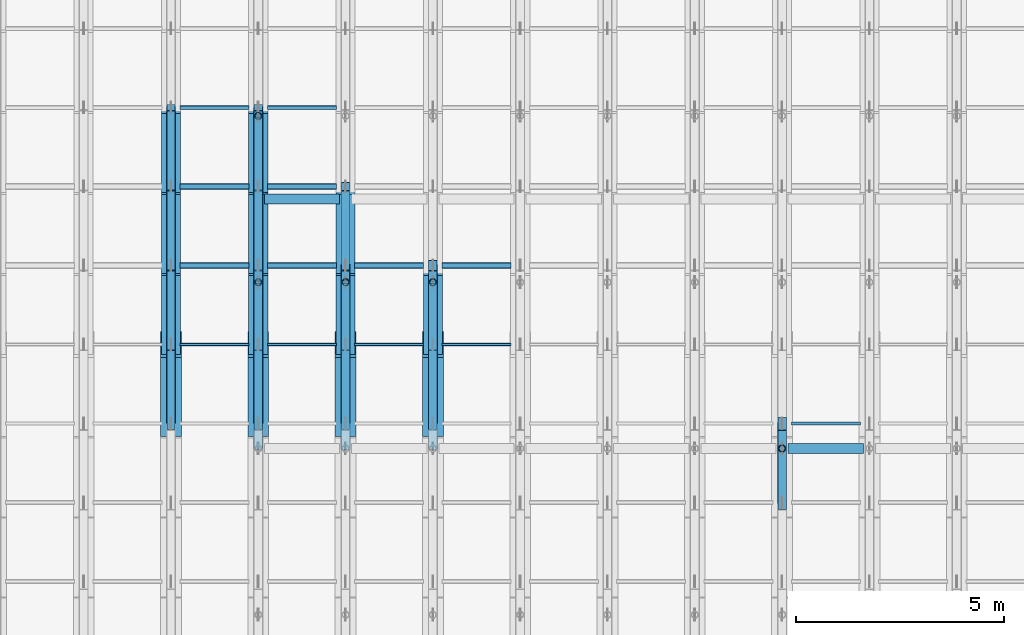
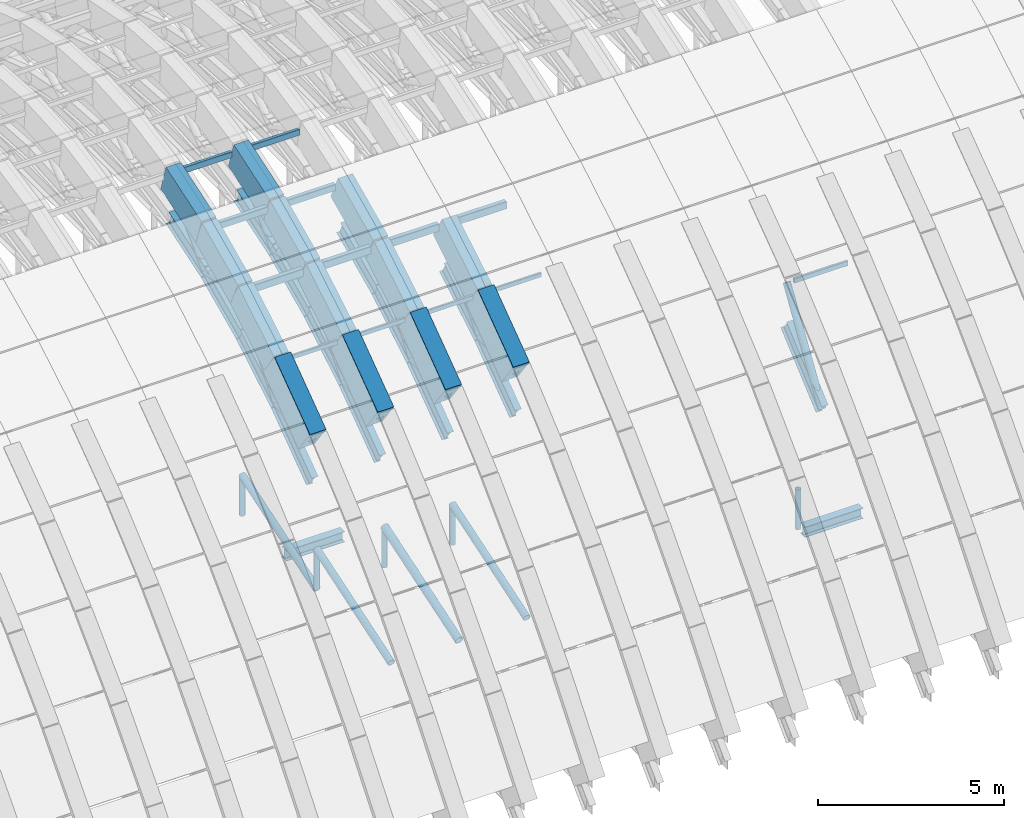
# One storey, part 8 of 67: 35 members, 29 beams.
"""IFC4 building model written with IfcOpenShell, lengths in metres."""

import ifcopenshell
import ifcopenshell.guid

model = None  # the IFC model being written
_history = None  # IfcOwnerHistory: only IFC2X3 demands one
_inside = {}  # id of a spatial element -> (the spatial element, [elements in it])
_under = {}  # id of a project, library or spatial element -> (it, [spatial elements below it])
_declared = {}  # id of a project -> (the project, [libraries it declares])
_typed = {}  # id of a type object -> (the type object, [elements of that type])
_made_of = {}  # id of a material, layer set ... -> (it, [elements and type objects made of it])


def new_model(schema):
    """Start an empty IFC model of exactly this schema.

    Asked for "IFC4X3", IfcOpenShell would pick the latest addendum, in which some entities
    have other attributes; the version numbers below select the first issue.
    IFC2X3 requires an IfcOwnerHistory on every rooted entity: one is made here for all.
    """
    global model, _history
    if schema == "IFC4X3":
        model = ifcopenshell.file(schema_version=(4, 3, 0, 0))
    else:
        model = ifcopenshell.file(schema=schema)
    _inside.clear()
    _under.clear()
    _declared.clear()
    _typed.clear()
    _made_of.clear()
    _history = None
    if model.schema == "IFC2X3":
        org = make("IfcOrganization", Name="unknown")
        user = make(
            "IfcPersonAndOrganization",
            ThePerson=make("IfcPerson", FamilyName="unknown"),
            TheOrganization=org,
        )
        app = make(
            "IfcApplication",
            ApplicationDeveloper=org,
            Version="unknown",
            ApplicationFullName="unknown",
            ApplicationIdentifier="unknown",
        )
        _history = make(
            "IfcOwnerHistory",
            OwningUser=user,
            OwningApplication=app,
            ChangeAction="ADDED",
            CreationDate=0,
        )
    return model


def make(cls, **values):
    """One entity of the class cls with the attributes given. An attribute that is None is left unset."""
    return model.create_entity(
        cls, **{name: value for name, value in values.items() if value is not None}
    )


def rooted(cls, **values):
    """An entity with a GlobalId (a new one), such as an element, a storey or a relation."""
    return make(cls, GlobalId=ifcopenshell.guid.new(), OwnerHistory=_history, **values)


def si_unit(unit_type, name, prefix=None):
    """IfcSIUnit, for example si_unit("LENGTHUNIT", "METRE", prefix="MILLI")."""
    return make("IfcSIUnit", UnitType=unit_type, Prefix=prefix, Name=name)


def assignment(units):
    """IfcUnitAssignment: the units of a project."""
    return None if units is None else make("IfcUnitAssignment", Units=units)


def point(xyz):
    """IfcCartesianPoint."""
    return None if xyz is None else make("IfcCartesianPoint", Coordinates=xyz)


def direction(xyz):
    """IfcDirection."""
    return None if xyz is None else make("IfcDirection", DirectionRatios=xyz)


def frame(location, z_axis=None, x_axis=None):
    """IfcAxis2Placement3D, a coordinate frame: its origin and axes. An axis left out is left unset."""
    return make(
        "IfcAxis2Placement3D",
        Location=point(location),
        Axis=direction(z_axis),
        RefDirection=direction(x_axis),
    )


def frame_2d(location, x_axis=None):
    """IfcAxis2Placement2D, a coordinate frame in the plane: its origin and x axis."""
    return make(
        "IfcAxis2Placement2D", Location=point(location), RefDirection=direction(x_axis)
    )


def origin():
    """The frame at (0, 0, 0) with its axes left unset."""
    return frame((0.0, 0.0, 0.0))


def origin_2d():
    """The frame at (0, 0) in the plane with its x axis left unset."""
    return frame_2d((0.0, 0.0))


def place(relative_to, where):
    """IfcLocalPlacement: puts the frame where relative to a parent placement (None: the world)."""
    return make(
        "IfcLocalPlacement", PlacementRelTo=relative_to, RelativePlacement=where
    )


def context(
    kind, dimensions, precision=None, world=None, true_north=None, identifier=None
):
    """IfcGeometricRepresentationContext, for example the 3D "Model" context."""
    return make(
        "IfcGeometricRepresentationContext",
        ContextIdentifier=identifier,
        ContextType=kind,
        CoordinateSpaceDimension=dimensions,
        Precision=precision,
        WorldCoordinateSystem=world,
        TrueNorth=true_north,
    )


def subcontext(parent, identifier, kind, view, scale=None):
    """IfcGeometricRepresentationSubContext, for example "Body" below "Model"."""
    return make(
        "IfcGeometricRepresentationSubContext",
        ContextIdentifier=identifier,
        ContextType=kind,
        ParentContext=parent,
        TargetScale=scale,
        TargetView=view,
    )


def project(units=None, contexts=None):
    """IfcProject with its units and contexts."""
    return rooted(
        "IfcProject",
        Name="project",
        RepresentationContexts=contexts,
        UnitsInContext=assignment(units),
    )


def spatial(cls, under=None, at=None, **own):
    """A site, building, storey or space (cls), placed at a placement, below another one or the project."""
    s = rooted(cls, ObjectPlacement=at, **own)
    if under is not None:
        _under.setdefault(under.id(), (under, []))[1].append(s)
    return s


def profile(cls, at=None, kind="AREA", **sizes):
    """A parametric profile (cls). Its sizes go by their IFC names, for example OverallWidth=200.0."""
    return make(cls, ProfileType=kind, Position=at, **sizes)


def rectangle(**sizes):
    """IfcRectangleProfileDef."""
    return profile("IfcRectangleProfileDef", **sizes)


def hollow_rectangle(**sizes):
    """IfcRectangleHollowProfileDef."""
    return profile("IfcRectangleHollowProfileDef", **sizes)


def hollow_circle(**sizes):
    """IfcCircleHollowProfileDef."""
    return profile("IfcCircleHollowProfileDef", **sizes)


def i_section(**sizes):
    """IfcIShapeProfileDef."""
    return profile("IfcIShapeProfileDef", **sizes)


def extrude(swept, where, along, depth):
    """IfcExtrudedAreaSolid: the profile swept, set in the frame where, extruded along a direction by depth."""
    return make(
        "IfcExtrudedAreaSolid",
        SweptArea=swept,
        Position=where,
        ExtrudedDirection=direction(along),
        Depth=depth,
    )


def shape(context_of_items, identifier, shape_type, items):
    """IfcShapeRepresentation: the items that make up one representation, for example the "Body"."""
    return make(
        "IfcShapeRepresentation",
        ContextOfItems=context_of_items,
        RepresentationIdentifier=identifier,
        RepresentationType=shape_type,
        Items=items,
    )


def material(Name=None, Category=None):
    """IfcMaterial."""
    return make("IfcMaterial", Name=Name, Category=Category)


def material_profile(
    of_material, cross_section, Name=None, Category=None, Priority=None
):
    """IfcMaterialProfile: a cross section and its material."""
    return make(
        "IfcMaterialProfile",
        Name=Name,
        Material=of_material,
        Profile=cross_section,
        Priority=Priority,
        Category=Category,
    )


def profile_set(profiles, Name=None, composite=None):
    """IfcMaterialProfileSet."""
    return make(
        "IfcMaterialProfileSet",
        Name=Name,
        MaterialProfiles=profiles,
        CompositeProfile=composite,
    )


def made_of(thing, what):
    """Note that an element or type object is made of a material, layer set ...; save() writes the relation."""
    if what is not None:
        _made_of.setdefault(what.id(), (what, []))[1].append(thing)
    return thing


def type_object(cls, material=None, **own):
    """A type object (cls), such as IfcWallType, which elements share."""
    return made_of(rooted(cls, **own), material)


def element(
    cls,
    number,
    at=None,
    inside=None,
    cuts=None,
    type_object=None,
    material=None,
    context=None,
    identifier="Body",
    shape_type=None,
    held_by="IfcProductDefinitionShape",
    body=None,
    shapes=None,
    **own,
):
    """One element of the class cls, such as IfcWall. Its Tag is "e" and its number.

    at: its placement. inside: the storey or other place that contains it. cuts: it is an
    opening in that element (IfcRelVoidsElement). A single representation is given by context,
    identifier, shape_type and body (its items); several are given by shapes. held_by: the class
    of the entity that holds the representations. save() writes the other relations.
    """
    e = rooted(cls, Tag="e%d" % number, ObjectPlacement=at, **own)
    if body is not None:
        shapes = [shape(context, identifier, shape_type, body)]
    if shapes is not None:
        e.Representation = make(held_by, Representations=shapes)
    if inside is not None:
        _inside.setdefault(inside.id(), (inside, []))[1].append(e)
    if cuts is not None:
        rooted(
            "IfcRelVoidsElement", RelatingBuildingElement=cuts, RelatedOpeningElement=e
        )
    if type_object is not None:
        _typed.setdefault(type_object.id(), (type_object, []))[1].append(e)
    return made_of(e, material)


def aggregate(whole, parts):
    """IfcRelAggregates: a whole, such as a stair, and the parts it consists of."""
    return rooted("IfcRelAggregates", RelatingObject=whole, RelatedObjects=parts)


def save(model, path):
    """Write the relations noted so far, then the file.

    IfcRelAggregates (storeys below a building ...), IfcRelContainedInSpatialStructure (elements
    in a storey), IfcRelDefinesByType, IfcRelAssociatesMaterial and IfcRelDeclares: one each for
    every whole, place, type object, material and project.
    """
    for whole, parts in _under.values():
        aggregate(whole, parts)
    for where, things in _inside.values():
        rooted(
            "IfcRelContainedInSpatialStructure",
            RelatedElements=things,
            RelatingStructure=where,
        )
    for kind, things in _typed.values():
        rooted("IfcRelDefinesByType", RelatedObjects=things, RelatingType=kind)
    for what, things in _made_of.values():
        rooted("IfcRelAssociatesMaterial", RelatedObjects=things, RelatingMaterial=what)
    for by, libraries in _declared.values():
        rooted("IfcRelDeclares", RelatingContext=by, RelatedDefinitions=libraries)
    model.write(path)


model = new_model("IFC4")

# Units and contexts
model_context = context("Model", 3, precision=1e-05, world=origin(), true_north=direction((0.0, 1.0)))
body_context = subcontext(model_context, "Body", "Model", "MODEL_VIEW")
ifc_project = project(units=[si_unit("LENGTHUNIT", "METRE"), si_unit("AREAUNIT", "SQUARE_METRE"), si_unit("VOLUMEUNIT", "CUBIC_METRE"), si_unit("PLANEANGLEUNIT", "RADIAN"), si_unit("MASSUNIT", "GRAM", prefix="KILO")], contexts=[model_context])

# Site, building, storey
site_placement = place(None, origin())
site = spatial("IfcSite", under=ifc_project, at=site_placement, CompositionType="ELEMENT")
building_placement = place(site_placement, origin())
building = spatial("IfcBuilding", under=site, at=building_placement, Name="Shengluoqiao Park Theatre", CompositionType="ELEMENT")
storey_placement = place(building_placement, frame((0.0, 0.0, 28.60009765625)))
storey = spatial("IfcBuildingStorey", under=building, at=storey_placement, Name="Roof", CompositionType="ELEMENT", Elevation=28.60009765625)

# Beams
ifc_material_1 = material(Name="Concrete C50", Category="concrete")
ifc_material_profile_1 = material_profile(ifc_material_1, rectangle(XDim=0.4599609375, YDim=0.919921875, at=origin_2d()), Name="RC ARCH 460x920")
ifc_profile_set_1 = profile_set([ifc_material_profile_1], Name="Concrete C50")
beam_type_1 = type_object("IfcBeamType", Name="STR-BM-AR-4609", PredefinedType="BEAM", material=ifc_profile_set_1)
beam_1_placement = place(storey_placement, frame((61.199951171875, 85.5, -0.570068359375), z_axis=(0.0, 0.858668723557, 0.512530997292), x_axis=(-1.0, 0.0, 0.0)))
element("IfcBeam", 1, at=beam_1_placement, inside=storey, type_object=beam_type_1, Name="Barrel-Shell Arch Rib R09-S06", PredefinedType="BEAM", context=body_context, shape_type="SweptSolid", body=[
    extrude(rectangle(XDim=0.4599609375, YDim=0.919921875, at=origin_2d()), origin(), (0.0, 0.0, 1.0), 2.212646484375),
])
beam_2_placement = place(storey_placement, frame((61.199951171875, 87.39990234375, 0.56396484375), z_axis=(0.0, 0.907077318021, 0.420964059192), x_axis=(-1.0, 0.0, 0.0)))
element("IfcBeam", 2, at=beam_2_placement, inside=storey, type_object=beam_type_1, Name="Barrel-Shell Arch Rib R09-S07", PredefinedType="BEAM", context=body_context, shape_type="SweptSolid", body=[
    extrude(rectangle(XDim=0.4599609375, YDim=0.919921875, at=origin_2d()), origin(), (0.0, 0.0, 1.0), 2.0947265625),
])
beam_3_placement = place(storey_placement, frame((61.199951171875, 89.300048828125, 1.44580078125), z_axis=(0.0, 0.949157901431, 0.314800378257), x_axis=(-1.0, 0.0, 0.0)))
element("IfcBeam", 3, at=beam_3_placement, inside=storey, type_object=beam_type_1, Name="Barrel-Shell Arch Rib R09-S08", PredefinedType="BEAM", context=body_context, shape_type="SweptSolid", body=[
    extrude(rectangle(XDim=0.4599609375, YDim=0.919921875, at=origin_2d()), origin(), (0.0, 0.0, 1.0), 2.001708984375),
])
beam_4_placement = place(storey_placement, frame((63.300048828125, 85.5, -0.570068359375), z_axis=(0.0, 0.858668723557, 0.512530997292), x_axis=(-1.0, 0.0, 0.0)))
element("IfcBeam", 4, at=beam_4_placement, inside=storey, type_object=beam_type_1, Name="Barrel-Shell Arch Rib R10-S06", PredefinedType="BEAM", context=body_context, shape_type="SweptSolid", body=[
    extrude(rectangle(XDim=0.4599609375, YDim=0.919921875, at=origin_2d()), origin(), (0.0, 0.0, 1.0), 2.212646484375),
])
beam_5_placement = place(storey_placement, frame((63.300048828125, 87.39990234375, 0.56396484375), z_axis=(0.0, 0.907077318021, 0.420964059192), x_axis=(-1.0, 0.0, 0.0)))
element("IfcBeam", 5, at=beam_5_placement, inside=storey, type_object=beam_type_1, Name="Barrel-Shell Arch Rib R10-S07", PredefinedType="BEAM", context=body_context, shape_type="SweptSolid", body=[
    extrude(rectangle(XDim=0.4599609375, YDim=0.919921875, at=origin_2d()), origin(), (0.0, 0.0, 1.0), 2.0947265625),
])
beam_6_placement = place(storey_placement, frame((63.300048828125, 89.300048828125, 1.44580078125), z_axis=(0.0, 0.949157901431, 0.314800378257), x_axis=(-1.0, 0.0, 0.0)))
element("IfcBeam", 6, at=beam_6_placement, inside=storey, type_object=beam_type_1, Name="Barrel-Shell Arch Rib R10-S08", PredefinedType="BEAM", context=body_context, shape_type="SweptSolid", body=[
    extrude(rectangle(XDim=0.4599609375, YDim=0.919921875, at=origin_2d()), origin(), (0.0, 0.0, 1.0), 2.001708984375),
])
beam_7_placement = place(storey_placement, frame((65.39990234375, 85.5, -0.570068359375), z_axis=(0.0, 0.858668723557, 0.512530997292), x_axis=(-1.0, 0.0, 0.0)))
element("IfcBeam", 7, at=beam_7_placement, inside=storey, type_object=beam_type_1, Name="Barrel-Shell Arch Rib R11-S06", PredefinedType="BEAM", context=body_context, shape_type="SweptSolid", body=[
    extrude(rectangle(XDim=0.4599609375, YDim=0.919921875, at=origin_2d()), origin(), (0.0, 0.0, 1.0), 2.212646484375),
])
beam_8_placement = place(storey_placement, frame((65.39990234375, 87.39990234375, 0.56396484375), z_axis=(0.0, 0.907077318021, 0.420964059192), x_axis=(-1.0, 0.0, 0.0)))
element("IfcBeam", 8, at=beam_8_placement, inside=storey, type_object=beam_type_1, Name="Barrel-Shell Arch Rib R11-S07", PredefinedType="BEAM", context=body_context, shape_type="SweptSolid", body=[
    extrude(rectangle(XDim=0.4599609375, YDim=0.919921875, at=origin_2d()), origin(), (0.0, 0.0, 1.0), 2.0947265625),
])
beam_9_placement = place(storey_placement, frame((67.5, 85.5, -0.570068359375), z_axis=(0.0, 0.858668723557, 0.512530997292), x_axis=(-1.0, 0.0, 0.0)))
element("IfcBeam", 9, at=beam_9_placement, inside=storey, type_object=beam_type_1, Name="Barrel-Shell Arch Rib R12-S06", PredefinedType="BEAM", context=body_context, shape_type="SweptSolid", body=[
    extrude(rectangle(XDim=0.4599609375, YDim=0.919921875, at=origin_2d()), origin(), (0.0, 0.0, 1.0), 2.212646484375),
])
ifc_material_profile_2 = material_profile(ifc_material_1, rectangle(XDim=0.5, YDim=1.050048828125, at=origin_2d()), Name="RC ARCH 500x1050")
ifc_profile_set_2 = profile_set([ifc_material_profile_2], Name="Concrete C50")
beam_type_2 = type_object("IfcBeamType", Name="STR-BM-AR-5010", PredefinedType="BEAM", material=ifc_profile_set_2)
for number, where, z_axis, x_axis, name in (
    (10, (61.199951171875, 83.60009765625, -1.9560546875), (0.0, 0.807877780345, 0.589350058985), (-1.0, 0.0, 0.0), "Barrel-Shell Arch Rib R09-S05"),
    (11, (63.300048828125, 83.60009765625, -1.9560546875), (0.0, 0.807877780345, 0.589350058985), (-1.0, 0.0, 0.0), "Barrel-Shell Arch Rib R10-S05"),
    (12, (65.39990234375, 83.60009765625, -1.9560546875), (0.0, 0.807877780345, 0.589350058985), (-1.0, 0.0, 0.0), "Barrel-Shell Arch Rib R11-S05"),
    (13, (67.5, 83.60009765625, -1.9560546875), (0.0, 0.807877780345, 0.589350058985), (-1.0, 0.0, 0.0), "Barrel-Shell Arch Rib R12-S05"),
):
    element("IfcBeam", number, at=place(storey_placement, frame(where, z_axis=z_axis, x_axis=x_axis)), inside=storey, type_object=beam_type_2, Name=name, PredefinedType="BEAM", context=body_context, shape_type="SweptSolid", body=[
        extrude(rectangle(XDim=0.5, YDim=1.050048828125, at=origin_2d()), origin(), (0.0, 0.0, 1.0), 2.351806640625),
    ])
ifc_material_2 = material(Name="Steel Q355", Category="steel")
ifc_material_profile_3 = material_profile(ifc_material_2, i_section(OverallWidth=0.25, OverallDepth=0.340087890625, WebThickness=0.009033203125, FlangeThickness=0.013916015625, FilletRadius=0.01611328125, at=origin_2d()), Name="HM 340x250x9x14")
ifc_profile_set_3 = profile_set([ifc_material_profile_3], Name="Steel Q355")
beam_type_3 = type_object("IfcBeamType", Name="STR-BM-G-HM340", PredefinedType="BEAM", material=ifc_profile_set_3)
for number, where, z_axis, x_axis, name in (
    (14, (63.444091796875, 89.0, -9.77001953125), (1.0, 0.0, 0.0), (0.0, 1.0, 0.0), "Auditorium Overhead Catwalk Girder R10-2"),
    (15, (76.0439453125, 83.0, -9.77001953125), (1.0, 0.0, 0.0), (0.0, 1.0, 0.0), "Auditorium Overhead Catwalk Girder R16-1"),
):
    element("IfcBeam", number, at=place(storey_placement, frame(where, z_axis=z_axis, x_axis=x_axis)), inside=storey, type_object=beam_type_3, Name=name, PredefinedType="BEAM", context=body_context, shape_type="SweptSolid", body=[
        extrude(i_section(OverallWidth=0.25, OverallDepth=0.340087890625, WebThickness=0.009033203125, FlangeThickness=0.013916015625, FilletRadius=0.01611328125, at=origin_2d()), origin(), (0.0, 0.0, 1.0), 1.81201171875),
    ])
ifc_material_profile_4 = material_profile(ifc_material_2, i_section(OverallWidth=0.199951171875, OverallDepth=0.5, WebThickness=0.010009765625, FlangeThickness=0.01611328125, FilletRadius=0.01806640625, at=origin_2d()), Name="HN 500x200x10x16")
ifc_profile_set_4 = profile_set([ifc_material_profile_4], Name="Steel Q355")
beam_type_4 = type_object("IfcBeamType", Name="STR-BM-J-HN500", PredefinedType="JOIST", material=ifc_profile_set_4)
beam_10_placement = place(storey_placement, frame((61.199951171875, 83.60009765625, -3.316162109375), z_axis=(0.0, 0.807877780345, 0.589350058985), x_axis=(-1.0, 0.0, 0.0)))
element("IfcBeam", 16, at=beam_10_placement, inside=storey, type_object=beam_type_4, Name="Barrel-Shell Lower Arch Chord R09-S05", PredefinedType="JOIST", context=body_context, shape_type="SweptSolid", body=[
    extrude(i_section(OverallWidth=0.199951171875, OverallDepth=0.5, WebThickness=0.010009765625, FlangeThickness=0.01611328125, FilletRadius=0.01806640625, at=origin_2d()), origin(), (0.0, 0.0, 1.0), 2.351806640625),
])
beam_11_placement = place(storey_placement, frame((61.199951171875, 85.5, -1.93017578125), z_axis=(0.0, 0.858668723557, 0.512530997292), x_axis=(-1.0, 0.0, 0.0)))
element("IfcBeam", 17, at=beam_11_placement, inside=storey, type_object=beam_type_4, Name="Barrel-Shell Lower Arch Chord R09-S06", PredefinedType="JOIST", context=body_context, shape_type="SweptSolid", body=[
    extrude(i_section(OverallWidth=0.199951171875, OverallDepth=0.5, WebThickness=0.010009765625, FlangeThickness=0.01611328125, FilletRadius=0.01806640625, at=origin_2d()), origin(), (0.0, 0.0, 1.0), 2.212646484375),
])
beam_12_placement = place(storey_placement, frame((61.199951171875, 87.39990234375, -0.796142578125), z_axis=(0.0, 0.907032812412, 0.421059944911), x_axis=(-1.0, 0.0, 0.0)))
element("IfcBeam", 18, at=beam_12_placement, inside=storey, type_object=beam_type_4, Name="Barrel-Shell Lower Arch Chord R09-S07", PredefinedType="JOIST", context=body_context, shape_type="SweptSolid", body=[
    extrude(i_section(OverallWidth=0.199951171875, OverallDepth=0.5, WebThickness=0.010009765625, FlangeThickness=0.01611328125, FilletRadius=0.01806640625, at=origin_2d()), origin(), (0.0, 0.0, 1.0), 2.094970703125),
])
beam_13_placement = place(storey_placement, frame((61.199951171875, 89.300048828125, 0.0859375), z_axis=(0.0, 0.949194340043, 0.314690490531), x_axis=(-1.0, 0.0, 0.0)))
element("IfcBeam", 19, at=beam_13_placement, inside=storey, type_object=beam_type_4, Name="Barrel-Shell Lower Arch Chord R09-S08", PredefinedType="JOIST", context=body_context, shape_type="SweptSolid", body=[
    extrude(i_section(OverallWidth=0.199951171875, OverallDepth=0.5, WebThickness=0.010009765625, FlangeThickness=0.01611328125, FilletRadius=0.01806640625, at=origin_2d()), origin(), (0.0, 0.0, 1.0), 2.001708984375),
])
beam_14_placement = place(storey_placement, frame((63.300048828125, 83.60009765625, -3.316162109375), z_axis=(0.0, 0.807877780345, 0.589350058985), x_axis=(-1.0, 0.0, 0.0)))
element("IfcBeam", 20, at=beam_14_placement, inside=storey, type_object=beam_type_4, Name="Barrel-Shell Lower Arch Chord R10-S05", PredefinedType="JOIST", context=body_context, shape_type="SweptSolid", body=[
    extrude(i_section(OverallWidth=0.199951171875, OverallDepth=0.5, WebThickness=0.010009765625, FlangeThickness=0.01611328125, FilletRadius=0.01806640625, at=origin_2d()), origin(), (0.0, 0.0, 1.0), 2.351806640625),
])
beam_15_placement = place(storey_placement, frame((63.300048828125, 85.5, -1.93017578125), z_axis=(0.0, 0.858668723557, 0.512530997292), x_axis=(-1.0, 0.0, 0.0)))
element("IfcBeam", 21, at=beam_15_placement, inside=storey, type_object=beam_type_4, Name="Barrel-Shell Lower Arch Chord R10-S06", PredefinedType="JOIST", context=body_context, shape_type="SweptSolid", body=[
    extrude(i_section(OverallWidth=0.199951171875, OverallDepth=0.5, WebThickness=0.010009765625, FlangeThickness=0.01611328125, FilletRadius=0.01806640625, at=origin_2d()), origin(), (0.0, 0.0, 1.0), 2.212646484375),
])
beam_16_placement = place(storey_placement, frame((63.300048828125, 87.39990234375, -0.796142578125), z_axis=(0.0, 0.907032812412, 0.421059944911), x_axis=(-1.0, 0.0, 0.0)))
element("IfcBeam", 22, at=beam_16_placement, inside=storey, type_object=beam_type_4, Name="Barrel-Shell Lower Arch Chord R10-S07", PredefinedType="JOIST", context=body_context, shape_type="SweptSolid", body=[
    extrude(i_section(OverallWidth=0.199951171875, OverallDepth=0.5, WebThickness=0.010009765625, FlangeThickness=0.01611328125, FilletRadius=0.01806640625, at=origin_2d()), origin(), (0.0, 0.0, 1.0), 2.094970703125),
])
beam_17_placement = place(storey_placement, frame((63.300048828125, 89.300048828125, 0.0859375), z_axis=(0.0, 0.949194340043, 0.314690490531), x_axis=(-1.0, 0.0, 0.0)))
element("IfcBeam", 23, at=beam_17_placement, inside=storey, type_object=beam_type_4, Name="Barrel-Shell Lower Arch Chord R10-S08", PredefinedType="JOIST", context=body_context, shape_type="SweptSolid", body=[
    extrude(i_section(OverallWidth=0.199951171875, OverallDepth=0.5, WebThickness=0.010009765625, FlangeThickness=0.01611328125, FilletRadius=0.01806640625, at=origin_2d()), origin(), (0.0, 0.0, 1.0), 2.001708984375),
])
beam_18_placement = place(storey_placement, frame((65.39990234375, 83.60009765625, -3.316162109375), z_axis=(0.0, 0.807877780345, 0.589350058985), x_axis=(-1.0, 0.0, 0.0)))
element("IfcBeam", 24, at=beam_18_placement, inside=storey, type_object=beam_type_4, Name="Barrel-Shell Lower Arch Chord R11-S05", PredefinedType="JOIST", context=body_context, shape_type="SweptSolid", body=[
    extrude(i_section(OverallWidth=0.199951171875, OverallDepth=0.5, WebThickness=0.010009765625, FlangeThickness=0.01611328125, FilletRadius=0.01806640625, at=origin_2d()), origin(), (0.0, 0.0, 1.0), 2.351806640625),
])
beam_19_placement = place(storey_placement, frame((65.39990234375, 85.5, -1.93017578125), z_axis=(0.0, 0.858668723557, 0.512530997292), x_axis=(-1.0, 0.0, 0.0)))
element("IfcBeam", 25, at=beam_19_placement, inside=storey, type_object=beam_type_4, Name="Barrel-Shell Lower Arch Chord R11-S06", PredefinedType="JOIST", context=body_context, shape_type="SweptSolid", body=[
    extrude(i_section(OverallWidth=0.199951171875, OverallDepth=0.5, WebThickness=0.010009765625, FlangeThickness=0.01611328125, FilletRadius=0.01806640625, at=origin_2d()), origin(), (0.0, 0.0, 1.0), 2.212646484375),
])
beam_20_placement = place(storey_placement, frame((65.39990234375, 87.39990234375, -0.796142578125), z_axis=(0.0, 0.907032812412, 0.421059944911), x_axis=(-1.0, 0.0, 0.0)))
element("IfcBeam", 26, at=beam_20_placement, inside=storey, type_object=beam_type_4, Name="Barrel-Shell Lower Arch Chord R11-S07", PredefinedType="JOIST", context=body_context, shape_type="SweptSolid", body=[
    extrude(i_section(OverallWidth=0.199951171875, OverallDepth=0.5, WebThickness=0.010009765625, FlangeThickness=0.01611328125, FilletRadius=0.01806640625, at=origin_2d()), origin(), (0.0, 0.0, 1.0), 2.094970703125),
])
beam_21_placement = place(storey_placement, frame((67.5, 83.60009765625, -3.316162109375), z_axis=(0.0, 0.807877780345, 0.589350058985), x_axis=(-1.0, 0.0, 0.0)))
element("IfcBeam", 27, at=beam_21_placement, inside=storey, type_object=beam_type_4, Name="Barrel-Shell Lower Arch Chord R12-S05", PredefinedType="JOIST", context=body_context, shape_type="SweptSolid", body=[
    extrude(i_section(OverallWidth=0.199951171875, OverallDepth=0.5, WebThickness=0.010009765625, FlangeThickness=0.01611328125, FilletRadius=0.01806640625, at=origin_2d()), origin(), (0.0, 0.0, 1.0), 2.351806640625),
])
beam_22_placement = place(storey_placement, frame((67.5, 85.5, -1.93017578125), z_axis=(0.0, 0.858668723557, 0.512530997292), x_axis=(-1.0, 0.0, 0.0)))
element("IfcBeam", 28, at=beam_22_placement, inside=storey, type_object=beam_type_4, Name="Barrel-Shell Lower Arch Chord R12-S06", PredefinedType="JOIST", context=body_context, shape_type="SweptSolid", body=[
    extrude(i_section(OverallWidth=0.199951171875, OverallDepth=0.5, WebThickness=0.010009765625, FlangeThickness=0.01611328125, FilletRadius=0.01806640625, at=origin_2d()), origin(), (0.0, 0.0, 1.0), 2.212646484375),
])
beam_23_placement = place(storey_placement, frame((75.89990234375, 81.699951171875, -4.9541015625), z_axis=(0.0, 0.757433195517, 0.652912669757), x_axis=(-1.0, 0.0, 0.0)))
element("IfcBeam", 29, at=beam_23_placement, inside=storey, type_object=beam_type_4, Name="Barrel-Shell Lower Arch Chord R16-S04", PredefinedType="JOIST", context=body_context, shape_type="SweptSolid", body=[
    extrude(i_section(OverallWidth=0.199951171875, OverallDepth=0.5, WebThickness=0.010009765625, FlangeThickness=0.01611328125, FilletRadius=0.01806640625, at=origin_2d()), origin(), (0.0, 0.0, 1.0), 2.508544921875),
])

# Members
ifc_material_profile_5 = material_profile(ifc_material_2, hollow_circle(Radius=0.109619140625, WallThickness=0.010009765625, at=origin_2d()), Name="CHS 219x10")
ifc_profile_set_5 = profile_set([ifc_material_profile_5], Name="Steel Q355")
member_type_1 = type_object("IfcMemberType", Name="STR-MEM-BRC-219", PredefinedType="BRACE", material=ifc_profile_set_5)
member_1_placement = place(storey_placement, frame((61.199951171875, 83.60009765625, -1.9560546875), z_axis=(0.0, 0.999907244674, 0.013619913639), x_axis=(-1.0, 0.0, 0.0)))
element("IfcMember", 30, at=member_1_placement, inside=storey, type_object=member_type_1, Name="Barrel-Shell Arch Truss Web 0165", PredefinedType="BRACE", context=body_context, shape_type="SweptSolid", body=[
    extrude(hollow_circle(Radius=0.109619140625, WallThickness=0.010009765625, at=origin_2d()), origin(), (0.0, 0.0, 1.0), 1.900146484375),
])
member_2_placement = place(storey_placement, frame((61.199951171875, 85.5, -1.93017578125), z_axis=(0.0, 0.605963445698, 0.795492490523), x_axis=(-1.0, 0.0, 0.0)))
element("IfcMember", 31, at=member_2_placement, inside=storey, type_object=member_type_1, Name="Barrel-Shell Arch Truss Web 0166", PredefinedType="BRACE", context=body_context, shape_type="SweptSolid", body=[
    extrude(hollow_circle(Radius=0.109619140625, WallThickness=0.010009765625, at=origin_2d()), origin(), (0.0, 0.0, 1.0), 3.13525390625),
])
member_3_placement = place(storey_placement, frame((61.199951171875, 87.39990234375, 0.56396484375), z_axis=(0.0, 0.96978228772, -0.243971954176), x_axis=(-1.0, 0.0, 0.0)))
element("IfcMember", 32, at=member_3_placement, inside=storey, type_object=member_type_1, Name="Barrel-Shell Arch Truss Web 0167", PredefinedType="BRACE", context=body_context, shape_type="SweptSolid", body=[
    extrude(hollow_circle(Radius=0.109619140625, WallThickness=0.010009765625, at=origin_2d()), origin(), (0.0, 0.0, 1.0), 1.95947265625),
])
member_4_placement = place(storey_placement, frame((61.199951171875, 89.300048828125, 0.0859375), z_axis=(0.0, 0.690545389436, 0.723289060562), x_axis=(-1.0, 0.0, 0.0)))
element("IfcMember", 33, at=member_4_placement, inside=storey, type_object=member_type_1, Name="Barrel-Shell Arch Truss Web 0168", PredefinedType="BRACE", context=body_context, shape_type="SweptSolid", body=[
    extrude(hollow_circle(Radius=0.109619140625, WallThickness=0.010009765625, at=origin_2d()), origin(), (0.0, 0.0, 1.0), 2.751220703125),
])
member_5_placement = place(storey_placement, frame((63.300048828125, 83.60009765625, -1.9560546875), z_axis=(0.0, 0.999907244674, 0.013619913639), x_axis=(-1.0, 0.0, 0.0)))
element("IfcMember", 34, at=member_5_placement, inside=storey, type_object=member_type_1, Name="Barrel-Shell Arch Truss Web 0185", PredefinedType="BRACE", context=body_context, shape_type="SweptSolid", body=[
    extrude(hollow_circle(Radius=0.109619140625, WallThickness=0.010009765625, at=origin_2d()), origin(), (0.0, 0.0, 1.0), 1.900146484375),
])
member_6_placement = place(storey_placement, frame((63.300048828125, 85.5, -1.93017578125), z_axis=(0.0, 0.605963445698, 0.795492490523), x_axis=(-1.0, 0.0, 0.0)))
element("IfcMember", 35, at=member_6_placement, inside=storey, type_object=member_type_1, Name="Barrel-Shell Arch Truss Web 0186", PredefinedType="BRACE", context=body_context, shape_type="SweptSolid", body=[
    extrude(hollow_circle(Radius=0.109619140625, WallThickness=0.010009765625, at=origin_2d()), origin(), (0.0, 0.0, 1.0), 3.13525390625),
])
member_7_placement = place(storey_placement, frame((63.300048828125, 87.39990234375, 0.56396484375), z_axis=(0.0, 0.96978228772, -0.243971954176), x_axis=(-1.0, 0.0, 0.0)))
element("IfcMember", 36, at=member_7_placement, inside=storey, type_object=member_type_1, Name="Barrel-Shell Arch Truss Web 0187", PredefinedType="BRACE", context=body_context, shape_type="SweptSolid", body=[
    extrude(hollow_circle(Radius=0.109619140625, WallThickness=0.010009765625, at=origin_2d()), origin(), (0.0, 0.0, 1.0), 1.95947265625),
])
member_8_placement = place(storey_placement, frame((63.300048828125, 89.300048828125, 0.0859375), z_axis=(0.0, 0.690545389436, 0.723289060562), x_axis=(-1.0, 0.0, 0.0)))
element("IfcMember", 37, at=member_8_placement, inside=storey, type_object=member_type_1, Name="Barrel-Shell Arch Truss Web 0188", PredefinedType="BRACE", context=body_context, shape_type="SweptSolid", body=[
    extrude(hollow_circle(Radius=0.109619140625, WallThickness=0.010009765625, at=origin_2d()), origin(), (0.0, 0.0, 1.0), 2.751220703125),
])
member_9_placement = place(storey_placement, frame((65.39990234375, 83.60009765625, -1.9560546875), z_axis=(0.0, 0.999907244674, 0.013619913639), x_axis=(-1.0, 0.0, 0.0)))
element("IfcMember", 38, at=member_9_placement, inside=storey, type_object=member_type_1, Name="Barrel-Shell Arch Truss Web 0205", PredefinedType="BRACE", context=body_context, shape_type="SweptSolid", body=[
    extrude(hollow_circle(Radius=0.109619140625, WallThickness=0.010009765625, at=origin_2d()), origin(), (0.0, 0.0, 1.0), 1.900146484375),
])
member_10_placement = place(storey_placement, frame((65.39990234375, 85.5, -1.93017578125), z_axis=(0.0, 0.605963445698, 0.795492490523), x_axis=(-1.0, 0.0, 0.0)))
element("IfcMember", 39, at=member_10_placement, inside=storey, type_object=member_type_1, Name="Barrel-Shell Arch Truss Web 0206", PredefinedType="BRACE", context=body_context, shape_type="SweptSolid", body=[
    extrude(hollow_circle(Radius=0.109619140625, WallThickness=0.010009765625, at=origin_2d()), origin(), (0.0, 0.0, 1.0), 3.13525390625),
])
member_11_placement = place(storey_placement, frame((67.5, 83.60009765625, -1.9560546875), z_axis=(0.0, 0.999907244674, 0.013619913639), x_axis=(-1.0, 0.0, 0.0)))
element("IfcMember", 40, at=member_11_placement, inside=storey, type_object=member_type_1, Name="Barrel-Shell Arch Truss Web 0225", PredefinedType="BRACE", context=body_context, shape_type="SweptSolid", body=[
    extrude(hollow_circle(Radius=0.109619140625, WallThickness=0.010009765625, at=origin_2d()), origin(), (0.0, 0.0, 1.0), 1.900146484375),
])
member_12_placement = place(storey_placement, frame((67.5, 85.5, -1.93017578125), z_axis=(0.0, 0.605963445698, 0.795492490523), x_axis=(-1.0, 0.0, 0.0)))
element("IfcMember", 41, at=member_12_placement, inside=storey, type_object=member_type_1, Name="Barrel-Shell Arch Truss Web 0226", PredefinedType="BRACE", context=body_context, shape_type="SweptSolid", body=[
    extrude(hollow_circle(Radius=0.109619140625, WallThickness=0.010009765625, at=origin_2d()), origin(), (0.0, 0.0, 1.0), 3.13525390625),
])
member_13_placement = place(storey_placement, frame((75.89990234375, 81.699951171875, -4.9541015625), z_axis=(0.0, 0.535330234694, 0.844642847494), x_axis=(-1.0, 0.0, 0.0)))
element("IfcMember", 42, at=member_13_placement, inside=storey, type_object=member_type_1, Name="Barrel-Shell Arch Truss Web 0304", PredefinedType="BRACE", context=body_context, shape_type="SweptSolid", body=[
    extrude(hollow_circle(Radius=0.109619140625, WallThickness=0.010009765625, at=origin_2d()), origin(), (0.0, 0.0, 1.0), 3.549560546875),
])
for number, where, z_axis, x_axis, name in (
    (43, (63.300048828125, 83.0, -9.650146484375), (0.0, 0.951030656115, 0.309096572498), (-1.0, 0.0, 0.0), "Acoustic Tie Truss Diagonal 0011"),
    (44, (63.300048828125, 87.0, -9.650146484375), (0.0, 0.951030656115, 0.309096572498), (-1.0, 0.0, 0.0), "Acoustic Tie Truss Diagonal 0012"),
    (45, (67.5, 83.0, -9.650146484375), (0.0, 0.951030656115, 0.309096572498), (-1.0, 0.0, 0.0), "Acoustic Tie Truss Diagonal 0045"),
):
    element("IfcMember", number, at=place(storey_placement, frame(where, z_axis=z_axis, x_axis=x_axis)), inside=storey, type_object=member_type_1, Name=name, PredefinedType="BRACE", context=body_context, shape_type="SweptSolid", body=[
        extrude(hollow_circle(Radius=0.109619140625, WallThickness=0.010009765625, at=origin_2d()), origin(), (0.0, 0.0, 1.0), 4.2060546875),
    ])
ifc_material_profile_6 = material_profile(ifc_material_2, hollow_circle(Radius=0.12255859375, WallThickness=0.010009765625, at=origin_2d()), Name="CHS 245x10")
ifc_profile_set_6 = profile_set([ifc_material_profile_6], Name="Steel Q355")
member_type_2 = type_object("IfcMemberType", Name="STR-MEM-BRC-245", PredefinedType="BRACE", material=ifc_profile_set_6)
member_14_placement = place(storey_placement, frame((65.39990234375, 83.0, -9.650146484375), z_axis=(0.0, 0.951030656115, 0.309096572498), x_axis=(-1.0, 0.0, 0.0)))
element("IfcMember", 46, at=member_14_placement, inside=storey, type_object=member_type_2, Name="Acoustic Tie Truss Diagonal 0028", PredefinedType="BRACE", context=body_context, shape_type="SweptSolid", body=[
    extrude(hollow_circle(Radius=0.12255859375, WallThickness=0.010009765625, at=origin_2d()), origin(), (0.0, 0.0, 1.0), 4.2060546875),
])
ifc_material_profile_7 = material_profile(ifc_material_2, hollow_rectangle(XDim=0.070068359375, YDim=0.139892578125, WallThickness=0.006103515625, InnerFilletRadius=0.006103515625, OuterFilletRadius=0.011962890625, at=origin_2d()), Name="RHS 140x70x6")
ifc_profile_set_7 = profile_set([ifc_material_profile_7], Name="Steel Q355")
member_type_3 = type_object("IfcMemberType", Name="STR-MEM-PU-R140", PredefinedType="PURLIN", material=ifc_profile_set_7)
member_15_placement = place(storey_placement, frame((61.419921875, 85.5, -0.570068359375), z_axis=(1.0, 0.0, 0.0), x_axis=(0.0, 1.0, 0.0)))
element("IfcMember", 47, at=member_15_placement, inside=storey, type_object=member_type_3, Name="Shell Longitudinal Purlin 0157", PredefinedType="PURLIN", context=body_context, shape_type="SweptSolid", body=[
    extrude(hollow_rectangle(XDim=0.070068359375, YDim=0.139892578125, WallThickness=0.006103515625, InnerFilletRadius=0.006103515625, OuterFilletRadius=0.011962890625, at=origin_2d()), origin(), (0.0, 0.0, 1.0), 1.66015625),
])
for number, where, z_axis, x_axis, name in (
    (48, (63.52001953125, 85.5, -0.570068359375), (1.0, 0.0, 0.0), (0.0, 1.0, 0.0), "Shell Longitudinal Purlin 0176"),
    (49, (65.6201171875, 85.5, -0.570068359375), (1.0, 0.0, 0.0), (0.0, 1.0, 0.0), "Shell Longitudinal Purlin 0195"),
    (50, (67.719970703125, 85.5, -0.570068359375), (1.0, 0.0, 0.0), (0.0, 1.0, 0.0), "Shell Longitudinal Purlin 0214"),
):
    element("IfcMember", number, at=place(storey_placement, frame(where, z_axis=z_axis, x_axis=x_axis)), inside=storey, type_object=member_type_3, Name=name, PredefinedType="PURLIN", context=body_context, shape_type="SweptSolid", body=[
        extrude(hollow_rectangle(XDim=0.070068359375, YDim=0.139892578125, WallThickness=0.006103515625, InnerFilletRadius=0.006103515625, OuterFilletRadius=0.011962890625, at=origin_2d()), origin(), (0.0, 0.0, 1.0), 1.659912109375),
    ])
ifc_material_profile_8 = material_profile(ifc_material_2, hollow_rectangle(XDim=0.080078125, YDim=0.159912109375, WallThickness=0.006103515625, InnerFilletRadius=0.006103515625, OuterFilletRadius=0.011962890625, at=origin_2d()), Name="RHS 160x80x6")
ifc_profile_set_8 = profile_set([ifc_material_profile_8], Name="Steel Q355")
member_type_4 = type_object("IfcMemberType", Name="STR-MEM-PU-R160", PredefinedType="PURLIN", material=ifc_profile_set_8)
member_16_placement = place(storey_placement, frame((76.1201171875, 83.60009765625, -1.97607421875), z_axis=(1.0, 0.0, 0.0), x_axis=(0.0, 1.0, 0.0)))
element("IfcMember", 51, at=member_16_placement, inside=storey, type_object=member_type_4, Name="Shell Longitudinal Purlin 0289", PredefinedType="PURLIN", context=body_context, shape_type="SweptSolid", body=[
    extrude(hollow_rectangle(XDim=0.080078125, YDim=0.159912109375, WallThickness=0.006103515625, InnerFilletRadius=0.006103515625, OuterFilletRadius=0.011962890625, at=origin_2d()), origin(), (0.0, 0.0, 1.0), 1.659912109375),
])
ifc_material_profile_9 = material_profile(ifc_material_2, hollow_rectangle(XDim=0.10009765625, YDim=0.199951171875, WallThickness=0.008056640625, InnerFilletRadius=0.008056640625, OuterFilletRadius=0.01611328125, at=origin_2d()), Name="RHS 200x100x8")
ifc_profile_set_9 = profile_set([ifc_material_profile_9], Name="Steel Q355")
member_type_5 = type_object("IfcMemberType", Name="STR-MEM-PU-R200", PredefinedType="PURLIN", material=ifc_profile_set_9)
member_17_placement = place(storey_placement, frame((61.419921875, 91.199951171875, 2.1259765625), z_axis=(1.0, 0.0, 0.0), x_axis=(0.0, 1.0, 0.0)))
element("IfcMember", 52, at=member_17_placement, inside=storey, type_object=member_type_5, Name="Shell Longitudinal Purlin 0160", PredefinedType="PURLIN", context=body_context, shape_type="SweptSolid", body=[
    extrude(hollow_rectangle(XDim=0.10009765625, YDim=0.199951171875, WallThickness=0.008056640625, InnerFilletRadius=0.008056640625, OuterFilletRadius=0.01611328125, at=origin_2d()), origin(), (0.0, 0.0, 1.0), 1.66015625),
])
member_18_placement = place(storey_placement, frame((63.52001953125, 91.199951171875, 2.1259765625), z_axis=(1.0, 0.0, 0.0), x_axis=(0.0, 1.0, 0.0)))
element("IfcMember", 53, at=member_18_placement, inside=storey, type_object=member_type_5, Name="Shell Longitudinal Purlin 0179", PredefinedType="PURLIN", context=body_context, shape_type="SweptSolid", body=[
    extrude(hollow_rectangle(XDim=0.10009765625, YDim=0.199951171875, WallThickness=0.008056640625, InnerFilletRadius=0.008056640625, OuterFilletRadius=0.01611328125, at=origin_2d()), origin(), (0.0, 0.0, 1.0), 1.659912109375),
])
ifc_material_profile_10 = material_profile(ifc_material_2, hollow_rectangle(XDim=0.139892578125, YDim=0.219970703125, WallThickness=0.010009765625, InnerFilletRadius=0.010009765625, OuterFilletRadius=0.02001953125, at=origin_2d()), Name="RHS 220x140x10")
ifc_profile_set_10 = profile_set([ifc_material_profile_10], Name="Steel Q355")
member_type_6 = type_object("IfcMemberType", Name="STR-MEM-PU-R220", PredefinedType="PURLIN", material=ifc_profile_set_10)
member_19_placement = place(storey_placement, frame((61.419921875, 89.300048828125, 1.475830078125), z_axis=(1.0, 0.0, 0.0), x_axis=(0.0, 1.0, 0.0)))
element("IfcMember", 54, at=member_19_placement, inside=storey, type_object=member_type_6, Name="Shell Longitudinal Purlin 0159", PredefinedType="PURLIN", context=body_context, shape_type="SweptSolid", body=[
    extrude(hollow_rectangle(XDim=0.139892578125, YDim=0.219970703125, WallThickness=0.010009765625, InnerFilletRadius=0.010009765625, OuterFilletRadius=0.02001953125, at=origin_2d()), origin(), (0.0, 0.0, 1.0), 1.66015625),
])
member_20_placement = place(storey_placement, frame((63.52001953125, 89.300048828125, 1.475830078125), z_axis=(1.0, 0.0, 0.0), x_axis=(0.0, 1.0, 0.0)))
element("IfcMember", 55, at=member_20_placement, inside=storey, type_object=member_type_6, Name="Shell Longitudinal Purlin 0178", PredefinedType="PURLIN", context=body_context, shape_type="SweptSolid", body=[
    extrude(hollow_rectangle(XDim=0.139892578125, YDim=0.219970703125, WallThickness=0.010009765625, InnerFilletRadius=0.010009765625, OuterFilletRadius=0.02001953125, at=origin_2d()), origin(), (0.0, 0.0, 1.0), 1.659912109375),
])
ifc_material_profile_11 = material_profile(ifc_material_2, hollow_rectangle(XDim=0.14990234375, YDim=0.25, WallThickness=0.010009765625, InnerFilletRadius=0.010009765625, OuterFilletRadius=0.02001953125, at=origin_2d()), Name="RHS 250x150x10")
ifc_profile_set_11 = profile_set([ifc_material_profile_11], Name="Steel Q355")
member_type_7 = type_object("IfcMemberType", Name="STR-MEM-PU-R250", PredefinedType="PURLIN", material=ifc_profile_set_11)
member_21_placement = place(storey_placement, frame((61.419921875, 87.39990234375, 0.583984375), z_axis=(1.0, 0.0, 0.0), x_axis=(0.0, 1.0, 0.0)))
element("IfcMember", 56, at=member_21_placement, inside=storey, type_object=member_type_7, Name="Shell Longitudinal Purlin 0158", PredefinedType="PURLIN", context=body_context, shape_type="SweptSolid", body=[
    extrude(hollow_rectangle(XDim=0.14990234375, YDim=0.25, WallThickness=0.010009765625, InnerFilletRadius=0.010009765625, OuterFilletRadius=0.02001953125, at=origin_2d()), origin(), (0.0, 0.0, 1.0), 1.66015625),
])
for number, where, z_axis, x_axis, name in (
    (57, (63.52001953125, 87.39990234375, 0.583984375), (1.0, 0.0, 0.0), (0.0, 1.0, 0.0), "Shell Longitudinal Purlin 0177"),
    (58, (65.6201171875, 87.39990234375, 0.583984375), (1.0, 0.0, 0.0), (0.0, 1.0, 0.0), "Shell Longitudinal Purlin 0196"),
    (59, (67.719970703125, 87.39990234375, 0.583984375), (1.0, 0.0, 0.0), (0.0, 1.0, 0.0), "Shell Longitudinal Purlin 0215"),
):
    element("IfcMember", number, at=place(storey_placement, frame(where, z_axis=z_axis, x_axis=x_axis)), inside=storey, type_object=member_type_7, Name=name, PredefinedType="PURLIN", context=body_context, shape_type="SweptSolid", body=[
        extrude(hollow_rectangle(XDim=0.14990234375, YDim=0.25, WallThickness=0.010009765625, InnerFilletRadius=0.010009765625, OuterFilletRadius=0.02001953125, at=origin_2d()), origin(), (0.0, 0.0, 1.0), 1.659912109375),
    ])
ifc_material_profile_12 = material_profile(ifc_material_2, hollow_circle(Radius=0.083984375, WallThickness=0.008056640625, at=origin_2d()), Name="CHS 168x8")
ifc_profile_set_12 = profile_set([ifc_material_profile_12], Name="Steel Q355")
member_type_8 = type_object("IfcMemberType", Name="STR-MEM-STC-168", PredefinedType="STRUT", material=ifc_profile_set_12)
for number, where, z_axis, x_axis, name in (
    (60, (63.300048828125, 87.0, -9.650146484375), (0.0, 0.0, 1.0), (1.0, 0.0, 0.0), "Acoustic Tie Truss Strut 0003"),
    (61, (63.300048828125, 91.0, -9.650146484375), (0.0, 0.0, 1.0), (1.0, 0.0, 0.0), "Acoustic Tie Truss Strut 0004"),
    (62, (65.39990234375, 87.0, -9.650146484375), (0.0, 0.0, 1.0), (1.0, 0.0, 0.0), "Acoustic Tie Truss Strut 0020"),
    (63, (67.5, 87.0, -9.650146484375), (0.0, 0.0, 1.0), (1.0, 0.0, 0.0), "Acoustic Tie Truss Strut 0037"),
    (64, (75.89990234375, 83.0, -9.650146484375), (0.0, 0.0, 1.0), (1.0, 0.0, 0.0), "Acoustic Tie Truss Strut 0104"),
):
    element("IfcMember", number, at=place(storey_placement, frame(where, z_axis=z_axis, x_axis=x_axis)), inside=storey, type_object=member_type_8, Name=name, PredefinedType="STRUT", context=body_context, shape_type="SweptSolid", body=[
        extrude(hollow_circle(Radius=0.083984375, WallThickness=0.008056640625, at=origin_2d()), origin(), (0.0, 0.0, 1.0), 1.300048828125),
    ])

save(model, "model.ifc")
